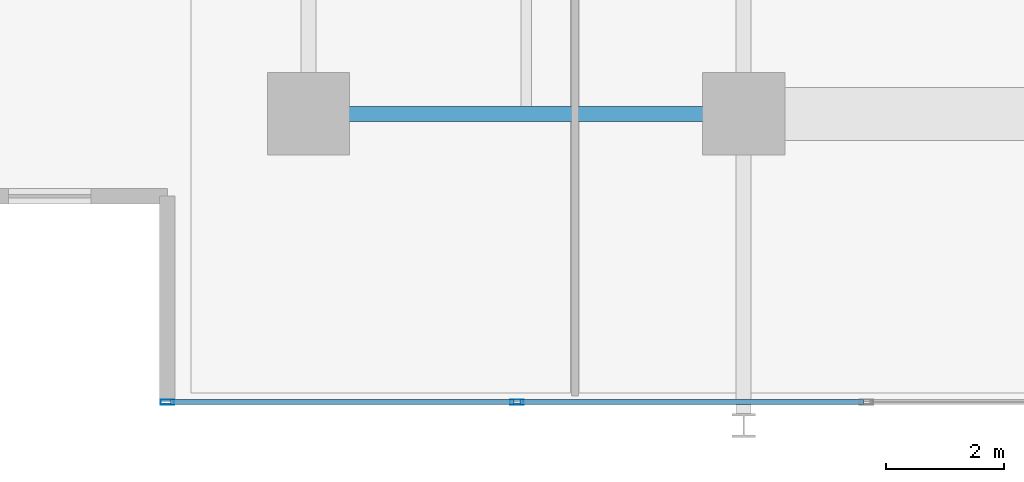
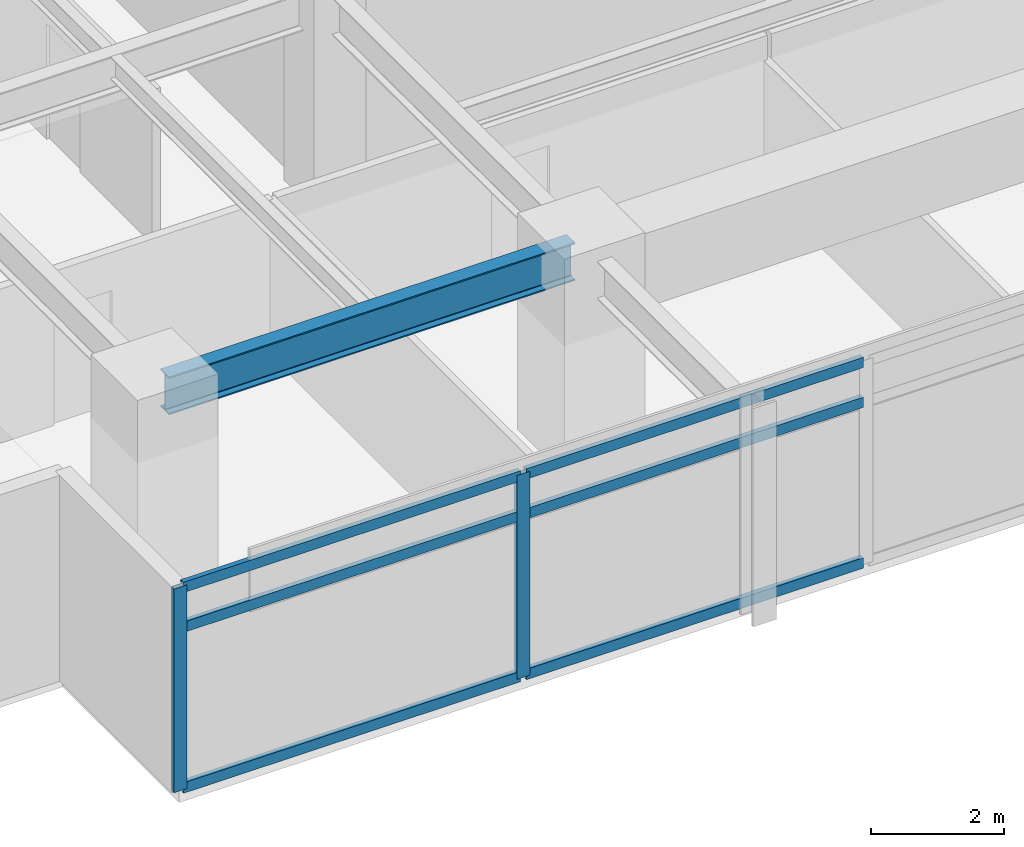
# One storey, part 2 of 21: 8 members, 1 beam, 1 element without a shape of its own.
"""IFC4 building model written with IfcOpenShell, lengths in metres."""

from ifc_helpers import new_model, si_unit, direction, frame, origin, origin_2d, place, context, subcontext, project, spatial, hollow_rectangle, i_section, extrude, material, material_profile, profile_set, type_object, element, aggregate, save


model = new_model("IFC4")

# Units and contexts
model_context = context("Model", 3, precision=1e-05, world=origin(), true_north=direction((0.0, 1.0)))
body_context = subcontext(model_context, "Body", "Model", "MODEL_VIEW")
ifc_project = project(units=[si_unit("LENGTHUNIT", "METRE"), si_unit("AREAUNIT", "SQUARE_METRE"), si_unit("VOLUMEUNIT", "CUBIC_METRE"), si_unit("PLANEANGLEUNIT", "RADIAN"), si_unit("MASSUNIT", "GRAM", prefix="KILO")], contexts=[model_context])

# Site, building, storey
site_placement = place(None, origin())
site = spatial("IfcSite", under=ifc_project, at=site_placement, CompositionType="ELEMENT")
building_placement = place(site_placement, origin())
building = spatial("IfcBuilding", under=site, at=building_placement, Name="Kovane Verandah Tower", CompositionType="ELEMENT")
storey_placement = place(building_placement, frame((0.0, 0.0, 205.199951171875)))
storey = spatial("IfcBuildingStorey", under=building, at=storey_placement, Name="L47", CompositionType="ELEMENT", Elevation=205.199951171875)

# Beam
ifc_material_1 = material(Name="Steel S355", Category="steel")
ifc_material_profile_1 = material_profile(ifc_material_1, i_section(OverallWidth=0.255859375, OverallDepth=0.69287109375, WebThickness=0.014404296875, FlangeThickness=0.023681640625, FilletRadius=0.01513671875, at=origin_2d()), Name="UB686x254x170")
ifc_profile_set_1 = profile_set([ifc_material_profile_1], Name="Steel S355")
beam_type = type_object("IfcBeamType", Name="BM-UB686x170", PredefinedType="BEAM", material=ifc_profile_set_1)
beam_placement = place(storey_placement, frame((21.780029296875, 10.800048828125, 3.428466796875), z_axis=(1.0, 0.0, 0.0), x_axis=(0.0, 1.0, 0.0)))
element("IfcBeam", 1, at=beam_placement, inside=storey, type_object=beam_type, Name="L47 Primary Tower Girder G-RS1", PredefinedType="BEAM", context=body_context, shape_type="SweptSolid", body=[
    extrude(i_section(OverallWidth=0.255859375, OverallDepth=0.69287109375, WebThickness=0.014404296875, FlangeThickness=0.023681640625, FilletRadius=0.01513671875, at=origin_2d()), origin(), (0.0, 0.0, 1.0), 7.0400390625),
])

# Curtain wall, members
ifc_material_2 = material(Name="Champagne Anodised Aluminium Frame with Low-E Clear Laminated Glass", Category="aluminium")
curtain_wall_type = type_object("IfcCurtainWallType", Name="CW-SYS-03-MID", PredefinedType="NOTDEFINED", material=ifc_material_2)
curtain_wall_placement = place(storey_placement, origin())
curtain_wall = element("IfcCurtainWall", 2, at=curtain_wall_placement, inside=storey, type_object=curtain_wall_type, Name="L47 S Unitised Curtain Wall", PredefinedType="NOTDEFINED")
ifc_material_3 = material(Name="Champagne Anodised Aluminium 6063-T6", Category="aluminium")
ifc_material_profile_2 = material_profile(ifc_material_3, hollow_rectangle(XDim=0.0849609375, YDim=0.22998046875, WallThickness=0.00390625, at=origin_2d()), Name="AL85x230x4")
ifc_profile_set_2 = profile_set([ifc_material_profile_2], Name="Champagne Anodised Aluminium 6063-T6")
member_type_1 = type_object("IfcMemberType", Name="CW-MUL-85x230", PredefinedType="MULLION", material=ifc_profile_set_2)
member_1_placement = place(storey_placement, frame((19.199951171875, 5.89990234375, 0.02001953125), z_axis=(0.0, 0.0, 1.0), x_axis=(0.0, -1.0, 0.0)))
member_1 = element("IfcMember", 3, at=member_1_placement, type_object=member_type_1, Name="L47 S Unitised Curtain Wall Mullion 1", PredefinedType="MULLION", context=body_context, shape_type="SweptSolid", body=[
    extrude(hollow_rectangle(XDim=0.0849609375, YDim=0.22998046875, WallThickness=0.00390625, at=origin_2d()), origin(), (0.0, 0.0, 1.0), 3.735107421875),
])
member_2_placement = place(storey_placement, frame((25.142822265625, 5.89990234375, 0.02001953125), z_axis=(0.0, 0.0, 1.0), x_axis=(0.0, -1.0, 0.0)))
member_2 = element("IfcMember", 4, at=member_2_placement, type_object=member_type_1, Name="L47 S Unitised Curtain Wall Mullion 2", PredefinedType="MULLION", context=body_context, shape_type="SweptSolid", body=[
    extrude(hollow_rectangle(XDim=0.0849609375, YDim=0.22998046875, WallThickness=0.00390625, at=origin_2d()), origin(), (0.0, 0.0, 1.0), 3.735107421875),
])
ifc_material_profile_3 = material_profile(ifc_material_3, hollow_rectangle(XDim=0.0849609375, YDim=0.18994140625, WallThickness=0.00390625, at=origin_2d()), Name="AL85x190x4")
ifc_profile_set_3 = profile_set([ifc_material_profile_3], Name="Champagne Anodised Aluminium 6063-T6")
member_type_2 = type_object("IfcMemberType", Name="CW-TRN-85x190", PredefinedType="USERDEFINED", material=ifc_profile_set_3)
member_3_placement = place(storey_placement, frame((19.25, 5.89990234375, 0.050048828125), z_axis=(1.0, 0.0, 0.0), x_axis=(0.0, 1.0, 0.0)))
member_3 = element("IfcMember", 5, at=member_3_placement, type_object=member_type_2, Name="L47 S Unitised Curtain Wall Transom TB Bay 1", ObjectType="TRANSOM", PredefinedType="USERDEFINED", context=body_context, shape_type="SweptSolid", body=[
    extrude(hollow_rectangle(XDim=0.0849609375, YDim=0.18994140625, WallThickness=0.00390625, at=origin_2d()), origin(), (0.0, 0.0, 1.0), 5.843017578125),
])
member_4_placement = place(storey_placement, frame((19.25, 5.89990234375, 2.9951171875), z_axis=(1.0, 0.0, 0.0), x_axis=(0.0, 1.0, 0.0)))
member_4 = element("IfcMember", 6, at=member_4_placement, type_object=member_type_2, Name="L47 S Unitised Curtain Wall Transom TM Bay 1", ObjectType="TRANSOM", PredefinedType="USERDEFINED", context=body_context, shape_type="SweptSolid", body=[
    extrude(hollow_rectangle(XDim=0.0849609375, YDim=0.18994140625, WallThickness=0.00390625, at=origin_2d()), origin(), (0.0, 0.0, 1.0), 5.843017578125),
])
member_5_placement = place(storey_placement, frame((19.25, 5.89990234375, 3.72509765625), z_axis=(1.0, 0.0, 0.0), x_axis=(0.0, 1.0, 0.0)))
member_5 = element("IfcMember", 7, at=member_5_placement, type_object=member_type_2, Name="L47 S Unitised Curtain Wall Transom TT Bay 1", ObjectType="TRANSOM", PredefinedType="USERDEFINED", context=body_context, shape_type="SweptSolid", body=[
    extrude(hollow_rectangle(XDim=0.0849609375, YDim=0.18994140625, WallThickness=0.00390625, at=origin_2d()), origin(), (0.0, 0.0, 1.0), 5.843017578125),
])
member_6_placement = place(storey_placement, frame((25.19287109375, 5.89990234375, 0.050048828125), z_axis=(1.0, 0.0, 0.0), x_axis=(0.0, 1.0, 0.0)))
member_6 = element("IfcMember", 8, at=member_6_placement, type_object=member_type_2, Name="L47 S Unitised Curtain Wall Transom TB Bay 2", ObjectType="TRANSOM", PredefinedType="USERDEFINED", context=body_context, shape_type="SweptSolid", body=[
    extrude(hollow_rectangle(XDim=0.0849609375, YDim=0.18994140625, WallThickness=0.00390625, at=origin_2d()), origin(), (0.0, 0.0, 1.0), 5.8427734375),
])
member_7_placement = place(storey_placement, frame((25.19287109375, 5.89990234375, 2.9951171875), z_axis=(1.0, 0.0, 0.0), x_axis=(0.0, 1.0, 0.0)))
member_7 = element("IfcMember", 9, at=member_7_placement, type_object=member_type_2, Name="L47 S Unitised Curtain Wall Transom TM Bay 2", ObjectType="TRANSOM", PredefinedType="USERDEFINED", context=body_context, shape_type="SweptSolid", body=[
    extrude(hollow_rectangle(XDim=0.0849609375, YDim=0.18994140625, WallThickness=0.00390625, at=origin_2d()), origin(), (0.0, 0.0, 1.0), 5.8427734375),
])
member_8_placement = place(storey_placement, frame((25.19287109375, 5.89990234375, 3.72509765625), z_axis=(1.0, 0.0, 0.0), x_axis=(0.0, 1.0, 0.0)))
member_8 = element("IfcMember", 10, at=member_8_placement, type_object=member_type_2, Name="L47 S Unitised Curtain Wall Transom TT Bay 2", ObjectType="TRANSOM", PredefinedType="USERDEFINED", context=body_context, shape_type="SweptSolid", body=[
    extrude(hollow_rectangle(XDim=0.0849609375, YDim=0.18994140625, WallThickness=0.00390625, at=origin_2d()), origin(), (0.0, 0.0, 1.0), 5.8427734375),
])
aggregate(curtain_wall, [member_1, member_2, member_3, member_4, member_5, member_6, member_7, member_8])

save(model, "model.ifc")
